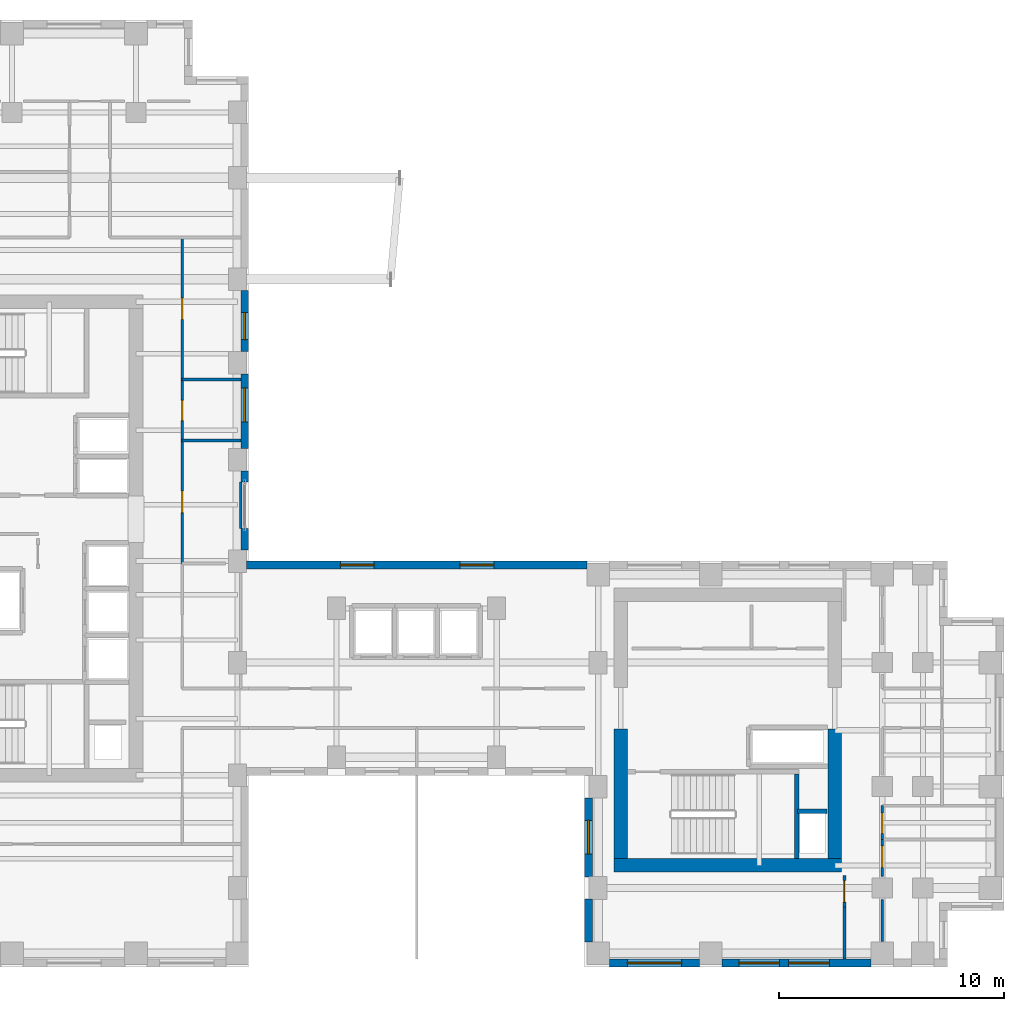
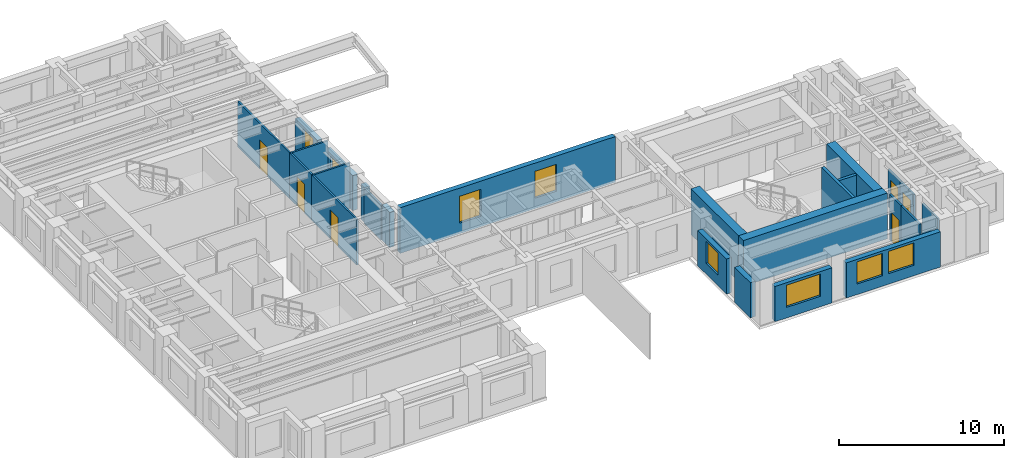
# One storey, part 8 of 13: 25 walls, 8 windows, 6 doors, 14 openings.
"""IFC4 building model written with IfcOpenShell, lengths in metres."""

import ifcopenshell
import ifcopenshell.guid

model = None  # the IFC model being written
_history = None  # IfcOwnerHistory: only IFC2X3 demands one
_inside = {}  # id of a spatial element -> (the spatial element, [elements in it])
_under = {}  # id of a project, library or spatial element -> (it, [spatial elements below it])
_declared = {}  # id of a project -> (the project, [libraries it declares])
_typed = {}  # id of a type object -> (the type object, [elements of that type])
_made_of = {}  # id of a material, layer set ... -> (it, [elements and type objects made of it])


def new_model(schema):
    """Start an empty IFC model of exactly this schema.

    Asked for "IFC4X3", IfcOpenShell would pick the latest addendum, in which some entities
    have other attributes; the version numbers below select the first issue.
    IFC2X3 requires an IfcOwnerHistory on every rooted entity: one is made here for all.
    """
    global model, _history
    if schema == "IFC4X3":
        model = ifcopenshell.file(schema_version=(4, 3, 0, 0))
    else:
        model = ifcopenshell.file(schema=schema)
    _inside.clear()
    _under.clear()
    _declared.clear()
    _typed.clear()
    _made_of.clear()
    _history = None
    if model.schema == "IFC2X3":
        org = make("IfcOrganization", Name="unknown")
        user = make(
            "IfcPersonAndOrganization",
            ThePerson=make("IfcPerson", FamilyName="unknown"),
            TheOrganization=org,
        )
        app = make(
            "IfcApplication",
            ApplicationDeveloper=org,
            Version="unknown",
            ApplicationFullName="unknown",
            ApplicationIdentifier="unknown",
        )
        _history = make(
            "IfcOwnerHistory",
            OwningUser=user,
            OwningApplication=app,
            ChangeAction="ADDED",
            CreationDate=0,
        )
    return model


def make(cls, **values):
    """One entity of the class cls with the attributes given. An attribute that is None is left unset."""
    return model.create_entity(
        cls, **{name: value for name, value in values.items() if value is not None}
    )


def rooted(cls, **values):
    """An entity with a GlobalId (a new one), such as an element, a storey or a relation."""
    return make(cls, GlobalId=ifcopenshell.guid.new(), OwnerHistory=_history, **values)


def si_unit(unit_type, name, prefix=None):
    """IfcSIUnit, for example si_unit("LENGTHUNIT", "METRE", prefix="MILLI")."""
    return make("IfcSIUnit", UnitType=unit_type, Prefix=prefix, Name=name)


def assignment(units):
    """IfcUnitAssignment: the units of a project."""
    return None if units is None else make("IfcUnitAssignment", Units=units)


def point(xyz):
    """IfcCartesianPoint."""
    return None if xyz is None else make("IfcCartesianPoint", Coordinates=xyz)


def direction(xyz):
    """IfcDirection."""
    return None if xyz is None else make("IfcDirection", DirectionRatios=xyz)


def frame(location, z_axis=None, x_axis=None):
    """IfcAxis2Placement3D, a coordinate frame: its origin and axes. An axis left out is left unset."""
    return make(
        "IfcAxis2Placement3D",
        Location=point(location),
        Axis=direction(z_axis),
        RefDirection=direction(x_axis),
    )


def frame_2d(location, x_axis=None):
    """IfcAxis2Placement2D, a coordinate frame in the plane: its origin and x axis."""
    return make(
        "IfcAxis2Placement2D", Location=point(location), RefDirection=direction(x_axis)
    )


def origin():
    """The frame at (0, 0, 0) with its axes left unset."""
    return frame((0.0, 0.0, 0.0))


def place(relative_to, where):
    """IfcLocalPlacement: puts the frame where relative to a parent placement (None: the world)."""
    return make(
        "IfcLocalPlacement", PlacementRelTo=relative_to, RelativePlacement=where
    )


def context(
    kind, dimensions, precision=None, world=None, true_north=None, identifier=None
):
    """IfcGeometricRepresentationContext, for example the 3D "Model" context."""
    return make(
        "IfcGeometricRepresentationContext",
        ContextIdentifier=identifier,
        ContextType=kind,
        CoordinateSpaceDimension=dimensions,
        Precision=precision,
        WorldCoordinateSystem=world,
        TrueNorth=true_north,
    )


def subcontext(parent, identifier, kind, view, scale=None):
    """IfcGeometricRepresentationSubContext, for example "Body" below "Model"."""
    return make(
        "IfcGeometricRepresentationSubContext",
        ContextIdentifier=identifier,
        ContextType=kind,
        ParentContext=parent,
        TargetScale=scale,
        TargetView=view,
    )


def project(units=None, contexts=None):
    """IfcProject with its units and contexts."""
    return rooted(
        "IfcProject",
        Name="project",
        RepresentationContexts=contexts,
        UnitsInContext=assignment(units),
    )


def spatial(cls, under=None, at=None, **own):
    """A site, building, storey or space (cls), placed at a placement, below another one or the project."""
    s = rooted(cls, ObjectPlacement=at, **own)
    if under is not None:
        _under.setdefault(under.id(), (under, []))[1].append(s)
    return s


def profile(cls, at=None, kind="AREA", **sizes):
    """A parametric profile (cls). Its sizes go by their IFC names, for example OverallWidth=200.0."""
    return make(cls, ProfileType=kind, Position=at, **sizes)


def rectangle(**sizes):
    """IfcRectangleProfileDef."""
    return profile("IfcRectangleProfileDef", **sizes)


def extrude(swept, where, along, depth):
    """IfcExtrudedAreaSolid: the profile swept, set in the frame where, extruded along a direction by depth."""
    return make(
        "IfcExtrudedAreaSolid",
        SweptArea=swept,
        Position=where,
        ExtrudedDirection=direction(along),
        Depth=depth,
    )


def shape(context_of_items, identifier, shape_type, items):
    """IfcShapeRepresentation: the items that make up one representation, for example the "Body"."""
    return make(
        "IfcShapeRepresentation",
        ContextOfItems=context_of_items,
        RepresentationIdentifier=identifier,
        RepresentationType=shape_type,
        Items=items,
    )


def source(mapping_origin, context_of_items, identifier, shape_type, items):
    """IfcRepresentationMap: a shape defined once, which mapped items show again and again."""
    return make(
        "IfcRepresentationMap",
        MappingOrigin=mapping_origin,
        MappedRepresentation=shape(context_of_items, identifier, shape_type, items),
    )


def transform(
    local_origin,
    x_axis=None,
    y_axis=None,
    z_axis=None,
    scale=None,
    scale2=None,
    scale3=None,
    uniform=True,
):
    """IfcCartesianTransformationOperator3D, or its non-uniform kind. x_axis, y_axis, z_axis: its Axis1, 2, 3."""
    if uniform:
        return make(
            "IfcCartesianTransformationOperator3D",
            Axis1=direction(x_axis),
            Axis2=direction(y_axis),
            LocalOrigin=point(local_origin),
            Scale=scale,
            Axis3=direction(z_axis),
        )
    return make(
        "IfcCartesianTransformationOperator3DnonUniform",
        Axis1=direction(x_axis),
        Axis2=direction(y_axis),
        LocalOrigin=point(local_origin),
        Scale=scale,
        Axis3=direction(z_axis),
        Scale2=scale2,
        Scale3=scale3,
    )


def mapped(mapping_source, mapping_target):
    """IfcMappedItem: shows the shape of a source again, moved by a transform."""
    return make(
        "IfcMappedItem", MappingSource=mapping_source, MappingTarget=mapping_target
    )


def material(Name=None, Category=None):
    """IfcMaterial."""
    return make("IfcMaterial", Name=Name, Category=Category)


def layer(
    of_material, thickness, ventilated=None, Name=None, Category=None, Priority=None
):
    """IfcMaterialLayer: one layer of a wall or slab, of a material (None: an air gap)."""
    return make(
        "IfcMaterialLayer",
        Material=of_material,
        LayerThickness=thickness,
        IsVentilated=ventilated,
        Name=Name,
        Category=Category,
        Priority=Priority,
    )


def layer_set(layers, Name=None):
    """IfcMaterialLayerSet."""
    return make("IfcMaterialLayerSet", MaterialLayers=layers, LayerSetName=Name)


def made_of(thing, what):
    """Note that an element or type object is made of a material, layer set ...; save() writes the relation."""
    if what is not None:
        _made_of.setdefault(what.id(), (what, []))[1].append(thing)
    return thing


def type_object(cls, material=None, **own):
    """A type object (cls), such as IfcWallType, which elements share."""
    return made_of(rooted(cls, **own), material)


def element(
    cls,
    number,
    at=None,
    inside=None,
    cuts=None,
    type_object=None,
    material=None,
    context=None,
    identifier="Body",
    shape_type=None,
    held_by="IfcProductDefinitionShape",
    body=None,
    shapes=None,
    **own,
):
    """One element of the class cls, such as IfcWall. Its Tag is "e" and its number.

    at: its placement. inside: the storey or other place that contains it. cuts: it is an
    opening in that element (IfcRelVoidsElement). A single representation is given by context,
    identifier, shape_type and body (its items); several are given by shapes. held_by: the class
    of the entity that holds the representations. save() writes the other relations.
    """
    e = rooted(cls, Tag="e%d" % number, ObjectPlacement=at, **own)
    if body is not None:
        shapes = [shape(context, identifier, shape_type, body)]
    if shapes is not None:
        e.Representation = make(held_by, Representations=shapes)
    if inside is not None:
        _inside.setdefault(inside.id(), (inside, []))[1].append(e)
    if cuts is not None:
        rooted(
            "IfcRelVoidsElement", RelatingBuildingElement=cuts, RelatedOpeningElement=e
        )
    if type_object is not None:
        _typed.setdefault(type_object.id(), (type_object, []))[1].append(e)
    return made_of(e, material)


def fill(opening, filler):
    """IfcRelFillsElement: the door or window that sits in an opening."""
    return rooted(
        "IfcRelFillsElement",
        RelatingOpeningElement=opening,
        RelatedBuildingElement=filler,
    )


def aggregate(whole, parts):
    """IfcRelAggregates: a whole, such as a stair, and the parts it consists of."""
    return rooted("IfcRelAggregates", RelatingObject=whole, RelatedObjects=parts)


def save(model, path):
    """Write the relations noted so far, then the file.

    IfcRelAggregates (storeys below a building ...), IfcRelContainedInSpatialStructure (elements
    in a storey), IfcRelDefinesByType, IfcRelAssociatesMaterial and IfcRelDeclares: one each for
    every whole, place, type object, material and project.
    """
    for whole, parts in _under.values():
        aggregate(whole, parts)
    for where, things in _inside.values():
        rooted(
            "IfcRelContainedInSpatialStructure",
            RelatedElements=things,
            RelatingStructure=where,
        )
    for kind, things in _typed.values():
        rooted("IfcRelDefinesByType", RelatedObjects=things, RelatingType=kind)
    for what, things in _made_of.values():
        rooted("IfcRelAssociatesMaterial", RelatedObjects=things, RelatingMaterial=what)
    for by, libraries in _declared.values():
        rooted("IfcRelDeclares", RelatingContext=by, RelatedDefinitions=libraries)
    model.write(path)


model = new_model("IFC4")

# Units and contexts
model_context = context("Model", 3, precision=1e-05, world=origin(), true_north=direction((0.0, 1.0)))
body_context = subcontext(model_context, "Body", "Model", "MODEL_VIEW")
ifc_project = project(units=[si_unit("LENGTHUNIT", "METRE"), si_unit("AREAUNIT", "SQUARE_METRE"), si_unit("VOLUMEUNIT", "CUBIC_METRE"), si_unit("PLANEANGLEUNIT", "RADIAN"), si_unit("MASSUNIT", "GRAM", prefix="KILO")], contexts=[model_context])

# Site, building, storey
site_placement = place(None, origin())
site = spatial("IfcSite", under=ifc_project, at=site_placement, CompositionType="ELEMENT")
building_placement = place(site_placement, origin())
building = spatial("IfcBuilding", under=site, at=building_placement, Name="Kharzan Plaza Tower", CompositionType="ELEMENT")
storey_placement = place(building_placement, frame((0.0, 0.0, 197.10009765625)))
storey = spatial("IfcBuildingStorey", under=building, at=storey_placement, Name="L53", CompositionType="ELEMENT", Elevation=197.10009765625)

# Wall, opening, window
ifc_material_1 = material(Name="Concrete C40/50", Category="concrete")
ifc_layer_1 = layer(ifc_material_1, 0.35009765625)
ifc_layer_set_1 = layer_set([ifc_layer_1], Name="Concrete C40/50")
wall_type_1 = type_object("IfcWallType", Name="WL-EXT-MAS-Z3", PredefinedType="SOLIDWALL", material=ifc_layer_set_1)
wall_1_placement = place(storey_placement, frame((34.574951171875, 7.501953125, 0.0), z_axis=(0.0, 0.0, 1.0), x_axis=(0.0, -1.0, 0.0)))
wall_1 = element("IfcWall", 1, at=wall_1_placement, inside=storey, type_object=wall_type_1, Name="L53 Masonry-Frame Exterior Wall 29", PredefinedType="SOLIDWALL", context=body_context, shape_type="SweptSolid", body=[
    extrude(rectangle(XDim=3.50390625, YDim=0.35009765625, at=frame_2d((1.751953125, 0.0))), origin(), (0.0, 0.0, 1.0), 2.61181640625),
])
opening_1_placement = place(wall_1_placement, frame((1.001953125, 0.0, 0.780029296875)))
opening_1 = element("IfcOpeningElement", 2, at=opening_1_placement, cuts=wall_1, Name="Opening W5", PredefinedType="OPENING", context=body_context, shape_type="SweptSolid", body=[
    extrude(rectangle(XDim=1.5, YDim=1.652099609375, at=frame_2d((0.75, 0.826171875))), frame((0.0, 0.18505859375, 0.0), z_axis=(0.0, -1.0, 0.0), x_axis=(1.0, 0.0, 0.0)), (0.0, 0.0, 1.0), 0.3701171875),
])
ifc_material_2 = material(Name="Low-E Double Glazing", Category="glass")
window_type_1 = type_object("IfcWindowType", Name="WN-SLT-1500x2000", PartitioningType="SINGLE_PANEL", PredefinedType="WINDOW", material=ifc_material_2)
shared_shape_1 = source(origin(), body_context, "Body", "SweptSolid", [
    extrude(rectangle(XDim=1.5, YDim=1.652099609375, at=frame_2d((0.75, 0.826171875))), frame((0.0, 0.030029296875, 0.0), z_axis=(0.0, -1.0, 0.0), x_axis=(1.0, 0.0, 0.0)), (0.0, 0.0, 1.0), 0.06005859375),
])
window_1_placement = place(opening_1_placement, origin())
window_1 = element("IfcWindow", 3, at=window_1_placement, inside=storey, type_object=window_type_1, Name="L53 Recessed Solar-Control Window 29-1", OverallHeight=1.652099609375, OverallWidth=1.5, PartitioningType="SINGLE_PANEL", PredefinedType="WINDOW", context=body_context, shape_type="MappedRepresentation", body=[
    mapped(shared_shape_1, transform((0.0, 0.0, 0.0), x_axis=(1.0, 0.0, 0.0), y_axis=(0.0, 1.0, 0.0), z_axis=(0.0, 0.0, 1.0))),
])
fill(opening_1, window_1)

wall_2_placement = place(storey_placement, frame((35.498046875, 0.175048828125, 0.0), z_axis=(0.0, 0.0, 1.0), x_axis=(1.0, 0.0, 0.0)))
wall_2 = element("IfcWall", 4, at=wall_2_placement, inside=storey, type_object=wall_type_1, Name="L53 Masonry-Frame Exterior Wall 31", PredefinedType="SOLIDWALL", context=body_context, shape_type="SweptSolid", body=[
    extrude(rectangle(XDim=4.00390625, YDim=0.35009765625, at=frame_2d((2.001953125, 0.0))), origin(), (0.0, 0.0, 1.0), 2.61181640625),
])
opening_2_placement = place(wall_2_placement, frame((0.802001953125, 0.0, 0.780029296875)))
opening_2 = element("IfcOpeningElement", 5, at=opening_2_placement, cuts=wall_2, Name="Opening W2", PredefinedType="OPENING", context=body_context, shape_type="SweptSolid", body=[
    extrude(rectangle(XDim=2.39990234375, YDim=1.652099609375, at=frame_2d((1.199951171875, 0.826171875))), frame((0.0, 0.18505859375, 0.0), z_axis=(0.0, -1.0, 0.0), x_axis=(1.0, 0.0, 0.0)), (0.0, 0.0, 1.0), 0.3701171875),
])
window_type_2 = type_object("IfcWindowType", Name="WN-REC-2400x2100", PartitioningType="SINGLE_PANEL", PredefinedType="WINDOW", material=ifc_material_2)
shared_shape_2 = source(origin(), body_context, "Body", "SweptSolid", [
    extrude(rectangle(XDim=2.39990234375, YDim=1.652099609375, at=frame_2d((1.199951171875, 0.826171875))), frame((0.0, 0.030029296875, 0.0), z_axis=(0.0, -1.0, 0.0), x_axis=(1.0, 0.0, 0.0)), (0.0, 0.0, 1.0), 0.06005859375),
])
window_2_placement = place(opening_2_placement, origin())
window_2 = element("IfcWindow", 6, at=window_2_placement, inside=storey, type_object=window_type_2, Name="L53 Wide Recessed Solar-Control Window 31-1", OverallHeight=1.652099609375, OverallWidth=2.39990234375, PartitioningType="SINGLE_PANEL", PredefinedType="WINDOW", context=body_context, shape_type="MappedRepresentation", body=[
    mapped(shared_shape_2, transform((0.0, 0.0, 0.0), x_axis=(1.0, 0.0, 0.0), y_axis=(0.0, 1.0, 0.0), z_axis=(0.0, 0.0, 1.0))),
])
fill(opening_2, window_2)

# Wall, openings, windows
wall_3_placement = place(storey_placement, frame((40.498046875, 0.175048828125, 0.0), z_axis=(0.0, 0.0, 1.0), x_axis=(1.0, 0.0, 0.0)))
wall_3 = element("IfcWall", 7, at=wall_3_placement, inside=storey, type_object=wall_type_1, Name="L53 Masonry-Frame Exterior Wall 32", PredefinedType="SOLIDWALL", context=body_context, shape_type="SweptSolid", body=[
    extrude(rectangle(XDim=6.60400390625, YDim=0.35009765625, at=frame_2d((3.302001953125, 0.0))), origin(), (0.0, 0.0, 1.0), 2.61181640625),
])
opening_3_placement = place(wall_3_placement, frame((0.7373046875, 0.0, 0.780029296875)))
opening_3 = element("IfcOpeningElement", 8, at=opening_3_placement, cuts=wall_3, Name="Opening W1", PredefinedType="OPENING", context=body_context, shape_type="SweptSolid", body=[
    extrude(rectangle(XDim=1.800048828125, YDim=1.652099609375, at=frame_2d((0.89990234375, 0.826171875))), frame((0.0, 0.18505859375, 0.0), z_axis=(0.0, -1.0, 0.0), x_axis=(1.0, 0.0, 0.0)), (0.0, 0.0, 1.0), 0.3701171875),
])
opening_4_placement = place(wall_3_placement, frame((2.95458984375, 0.0, 0.780029296875)))
opening_4 = element("IfcOpeningElement", 9, at=opening_4_placement, cuts=wall_3, Name="Opening W1", PredefinedType="OPENING", context=body_context, shape_type="SweptSolid", body=[
    extrude(rectangle(XDim=1.800048828125, YDim=1.652099609375, at=frame_2d((0.89990234375, 0.826171875))), frame((0.0, 0.18505859375, 0.0), z_axis=(0.0, -1.0, 0.0), x_axis=(1.0, 0.0, 0.0)), (0.0, 0.0, 1.0), 0.3701171875),
])
window_type_3 = type_object("IfcWindowType", Name="WN-REC-1800x2100", PartitioningType="SINGLE_PANEL", PredefinedType="WINDOW", material=ifc_material_2)
shared_shape_3 = source(origin(), body_context, "Body", "SweptSolid", [
    extrude(rectangle(XDim=1.800048828125, YDim=1.652099609375, at=frame_2d((0.89990234375, 0.826171875))), frame((0.0, 0.030029296875, 0.0), z_axis=(0.0, -1.0, 0.0), x_axis=(1.0, 0.0, 0.0)), (0.0, 0.0, 1.0), 0.06005859375),
])
window_3_placement = place(opening_3_placement, origin())
window_3 = element("IfcWindow", 10, at=window_3_placement, inside=storey, type_object=window_type_3, Name="L53 Recessed Solar-Control Window 32-1", OverallHeight=1.652099609375, OverallWidth=1.800048828125, PartitioningType="SINGLE_PANEL", PredefinedType="WINDOW", context=body_context, shape_type="MappedRepresentation", body=[
    mapped(shared_shape_3, transform((0.0, 0.0, 0.0), x_axis=(1.0, 0.0, 0.0), y_axis=(0.0, 1.0, 0.0), z_axis=(0.0, 0.0, 1.0))),
])
fill(opening_3, window_3)
window_4_placement = place(opening_4_placement, origin())
window_4 = element("IfcWindow", 11, at=window_4_placement, inside=storey, type_object=window_type_3, Name="L53 Recessed Solar-Control Window 32-2", OverallHeight=1.652099609375, OverallWidth=1.800048828125, PartitioningType="SINGLE_PANEL", PredefinedType="WINDOW", context=body_context, shape_type="MappedRepresentation", body=[
    mapped(shared_shape_3, transform((0.0, 0.0, 0.0), x_axis=(1.0, 0.0, 0.0), y_axis=(0.0, 1.0, 0.0), z_axis=(0.0, 0.0, 1.0))),
])
fill(opening_4, window_4)

wall_4_placement = place(storey_placement, frame((34.501953125, 17.824951171875, 0.0), z_axis=(0.0, 0.0, 1.0), x_axis=(-1.0, 0.0, 0.0)))
wall_4 = element("IfcWall", 12, at=wall_4_placement, inside=storey, type_object=wall_type_1, Name="L53 Masonry-Frame Exterior Wall 46", PredefinedType="SOLIDWALL", context=body_context, shape_type="SweptSolid", body=[
    extrude(rectangle(XDim=15.10400390625, YDim=0.35009765625, at=frame_2d((7.552001953125, 0.0))), origin(), (0.0, 0.0, 1.0), 3.385009765625),
])
opening_5_placement = place(wall_4_placement, frame((4.131103515625, 0.0, 0.780029296875)))
opening_5 = element("IfcOpeningElement", 13, at=opening_5_placement, cuts=wall_4, Name="Opening W5", PredefinedType="OPENING", context=body_context, shape_type="SweptSolid", body=[
    extrude(rectangle(XDim=1.5, YDim=2.0, at=frame_2d((0.75, 1.0))), frame((0.0, 0.18505859375, 0.0), z_axis=(0.0, -1.0, 0.0), x_axis=(1.0, 0.0, 0.0)), (0.0, 0.0, 1.0), 0.3701171875),
])
opening_6_placement = place(wall_4_placement, frame((9.4423828125, 0.0, 0.780029296875)))
opening_6 = element("IfcOpeningElement", 14, at=opening_6_placement, cuts=wall_4, Name="Opening W5", PredefinedType="OPENING", context=body_context, shape_type="SweptSolid", body=[
    extrude(rectangle(XDim=1.5, YDim=2.0, at=frame_2d((0.75, 1.0))), frame((0.0, 0.18505859375, 0.0), z_axis=(0.0, -1.0, 0.0), x_axis=(1.0, 0.0, 0.0)), (0.0, 0.0, 1.0), 0.3701171875),
])
shared_shape_4 = source(origin(), body_context, "Body", "SweptSolid", [
    extrude(rectangle(XDim=1.5, YDim=2.0, at=frame_2d((0.75, 1.0))), frame((0.0, 0.030029296875, 0.0), z_axis=(0.0, -1.0, 0.0), x_axis=(1.0, 0.0, 0.0)), (0.0, 0.0, 1.0), 0.06005859375),
])
window_5_placement = place(opening_5_placement, origin())
window_5 = element("IfcWindow", 15, at=window_5_placement, inside=storey, type_object=window_type_1, Name="L53 Recessed Solar-Control Window 46-1", OverallHeight=2.0, OverallWidth=1.5, PartitioningType="SINGLE_PANEL", PredefinedType="WINDOW", context=body_context, shape_type="MappedRepresentation", body=[
    mapped(shared_shape_4, transform((0.0, 0.0, 0.0), x_axis=(1.0, 0.0, 0.0), y_axis=(0.0, 1.0, 0.0), z_axis=(0.0, 0.0, 1.0))),
])
fill(opening_5, window_5)
window_6_placement = place(opening_6_placement, origin())
window_6 = element("IfcWindow", 16, at=window_6_placement, inside=storey, type_object=window_type_1, Name="L53 Recessed Solar-Control Window 46-2", OverallHeight=2.0, OverallWidth=1.5, PartitioningType="SINGLE_PANEL", PredefinedType="WINDOW", context=body_context, shape_type="MappedRepresentation", body=[
    mapped(shared_shape_4, transform((0.0, 0.0, 0.0), x_axis=(1.0, 0.0, 0.0), y_axis=(0.0, 1.0, 0.0), z_axis=(0.0, 0.0, 1.0))),
])
fill(opening_6, window_6)

# Wall, opening, window
wall_5_placement = place(storey_placement, frame((19.324951171875, 22.998046875, 0.0), z_axis=(0.0, 0.0, 1.0), x_axis=(0.0, 1.0, 0.0)))
wall_5 = element("IfcWall", 17, at=wall_5_placement, inside=storey, type_object=wall_type_1, Name="L53 Masonry-Frame Exterior Wall 49", PredefinedType="SOLIDWALL", context=body_context, shape_type="SweptSolid", body=[
    extrude(rectangle(XDim=3.303955078125, YDim=0.35009765625, at=frame_2d((1.65185546875, 0.0))), origin(), (0.0, 0.0, 1.0), 2.61181640625),
])
opening_7_placement = place(wall_5_placement, frame((1.180419921875, 0.0, 0.780029296875)))
opening_7 = element("IfcOpeningElement", 18, at=opening_7_placement, cuts=wall_5, Name="Opening W5", PredefinedType="OPENING", context=body_context, shape_type="SweptSolid", body=[
    extrude(rectangle(XDim=1.5, YDim=1.652099609375, at=frame_2d((0.75, 0.826171875))), frame((0.0, 0.18505859375, 0.0), z_axis=(0.0, -1.0, 0.0), x_axis=(1.0, 0.0, 0.0)), (0.0, 0.0, 1.0), 0.3701171875),
])
window_7_placement = place(opening_7_placement, origin())
window_7 = element("IfcWindow", 19, at=window_7_placement, inside=storey, type_object=window_type_1, Name="L53 Recessed Solar-Control Window 49-1", OverallHeight=1.652099609375, OverallWidth=1.5, PartitioningType="SINGLE_PANEL", PredefinedType="WINDOW", context=body_context, shape_type="MappedRepresentation", body=[
    mapped(shared_shape_1, transform((0.0, 0.0, 0.0), x_axis=(1.0, 0.0, 0.0), y_axis=(0.0, 1.0, 0.0), z_axis=(0.0, 0.0, 1.0))),
])
fill(opening_7, window_7)

wall_6_placement = place(storey_placement, frame((19.324951171875, 27.298095703125, 0.0), z_axis=(0.0, 0.0, 1.0), x_axis=(0.0, 1.0, 0.0)))
wall_6 = element("IfcWall", 20, at=wall_6_placement, inside=storey, type_object=wall_type_1, Name="L53 Masonry-Frame Exterior Wall 50", PredefinedType="SOLIDWALL", context=body_context, shape_type="SweptSolid", body=[
    extrude(rectangle(XDim=2.703857421875, YDim=0.35009765625, at=frame_2d((1.35205078125, 0.0))), origin(), (0.0, 0.0, 1.0), 2.61181640625),
])
opening_8_placement = place(wall_6_placement, frame((0.523681640625, 0.0, 0.780029296875)))
opening_8 = element("IfcOpeningElement", 21, at=opening_8_placement, cuts=wall_6, Name="Opening W3", PredefinedType="OPENING", context=body_context, shape_type="SweptSolid", body=[
    extrude(rectangle(XDim=1.199951171875, YDim=1.652099609375, at=frame_2d((0.60009765625, 0.826171875))), frame((0.0, 0.18505859375, 0.0), z_axis=(0.0, -1.0, 0.0), x_axis=(1.0, 0.0, 0.0)), (0.0, 0.0, 1.0), 0.3701171875),
])
window_type_4 = type_object("IfcWindowType", Name="WN-REC-1200x2100", PartitioningType="SINGLE_PANEL", PredefinedType="WINDOW", material=ifc_material_2)
shared_shape_5 = source(origin(), body_context, "Body", "SweptSolid", [
    extrude(rectangle(XDim=1.199951171875, YDim=1.652099609375, at=frame_2d((0.60009765625, 0.826171875))), frame((0.0, 0.030029296875, 0.0), z_axis=(0.0, -1.0, 0.0), x_axis=(1.0, 0.0, 0.0)), (0.0, 0.0, 1.0), 0.06005859375),
])
window_8_placement = place(opening_8_placement, origin())
window_8 = element("IfcWindow", 22, at=window_8_placement, inside=storey, type_object=window_type_4, Name="L53 Recessed Solar-Control Window 50-1", OverallHeight=1.652099609375, OverallWidth=1.199951171875, PartitioningType="SINGLE_PANEL", PredefinedType="WINDOW", context=body_context, shape_type="MappedRepresentation", body=[
    mapped(shared_shape_5, transform((0.0, 0.0, 0.0), x_axis=(1.0, 0.0, 0.0), y_axis=(0.0, 1.0, 0.0), z_axis=(0.0, 0.0, 1.0))),
])
fill(opening_8, window_8)

# Wall, opening, door
ifc_material_3 = material(Name="Fire-Rated Gypsum Board Partition", Category="gypsum")
ifc_layer_2 = layer(ifc_material_3, 0.125)
ifc_layer_set_2 = layer_set([ifc_layer_2], Name="Fire-Rated Gypsum Board Partition")
wall_type_2 = type_object("IfcWallType", Name="WL-INT-PART-125", PredefinedType="PARTITIONING", material=ifc_layer_set_2)
wall_7_placement = place(storey_placement, frame((16.550048828125, 17.89990234375, 0.0), z_axis=(0.0, 0.0, 1.0), x_axis=(0.0, 1.0, 0.0)))
wall_7 = element("IfcWall", 23, at=wall_7_placement, inside=storey, type_object=wall_type_2, Name="L53 Interior Partition SH-AEWN2", PredefinedType="PARTITIONING", context=body_context, shape_type="SweptSolid", body=[
    extrude(rectangle(XDim=5.4501953125, YDim=0.125, at=frame_2d((2.72509765625, 0.0))), origin(), (0.0, 0.0, 1.0), 3.385009765625),
])
opening_9_placement = place(wall_7_placement, frame((2.25, 0.0, 0.0)))
opening_9 = element("IfcOpeningElement", 24, at=opening_9_placement, cuts=wall_7, Name="Opening OD1", PredefinedType="OPENING", context=body_context, shape_type="SweptSolid", body=[
    extrude(rectangle(XDim=0.949951171875, YDim=2.14990234375, at=frame_2d((0.47509765625, 1.074951171875))), frame((0.0, 0.072509765625, 0.0), z_axis=(0.0, -1.0, 0.0), x_axis=(1.0, 0.0, 0.0)), (0.0, 0.0, 1.0), 0.14501953125),
])
ifc_material_4 = material(Name="Acoustic Solid-Core Stained Oak", Category="timber")
door_type_1 = type_object("IfcDoorType", Name="DR-OFF-SINGLE", OperationType="NOTDEFINED", PredefinedType="DOOR", material=ifc_material_4)
shared_shape_6 = source(origin(), body_context, "Body", "SweptSolid", [
    extrude(rectangle(XDim=0.949951171875, YDim=2.14990234375, at=frame_2d((0.47509765625, 1.074951171875))), frame((0.0, 0.02490234375, 0.0), z_axis=(0.0, -1.0, 0.0), x_axis=(1.0, 0.0, 0.0)), (0.0, 0.0, 1.0), 0.050048828125),
])
door_1_placement = place(opening_9_placement, origin())
door_1 = element("IfcDoor", 25, at=door_1_placement, inside=storey, type_object=door_type_1, Name="L53 Slot Studio Door", OperationType="SINGLE_SWING_RIGHT", OverallHeight=2.14990234375, OverallWidth=0.949951171875, PredefinedType="DOOR", context=body_context, shape_type="MappedRepresentation", body=[
    mapped(shared_shape_6, transform((0.0, 0.0, 0.0), x_axis=(1.0, 0.0, 0.0), y_axis=(0.0, 1.0, 0.0), z_axis=(0.0, 0.0, 1.0))),
])
fill(opening_9, door_1)

wall_8_placement = place(storey_placement, frame((16.550048828125, 26.050048828125, 0.0), z_axis=(0.0, 0.0, 1.0), x_axis=(0.0, 1.0, 0.0)))
wall_8 = element("IfcWall", 26, at=wall_8_placement, inside=storey, type_object=wall_type_2, Name="L53 Interior Partition SH-AEWN3", PredefinedType="PARTITIONING", context=body_context, shape_type="SweptSolid", body=[
    extrude(rectangle(XDim=6.300048828125, YDim=0.125, at=frame_2d((3.14990234375, 0.0))), origin(), (0.0, 0.0, 1.0), 3.385009765625),
])
opening_10_placement = place(wall_8_placement, frame((2.675048828125, 0.0, 0.0)))
opening_10 = element("IfcOpeningElement", 27, at=opening_10_placement, cuts=wall_8, Name="Opening OD1", PredefinedType="OPENING", context=body_context, shape_type="SweptSolid", body=[
    extrude(rectangle(XDim=0.949951171875, YDim=2.14990234375, at=frame_2d((0.47509765625, 1.074951171875))), frame((0.0, 0.072509765625, 0.0), z_axis=(0.0, -1.0, 0.0), x_axis=(1.0, 0.0, 0.0)), (0.0, 0.0, 1.0), 0.14501953125),
])
door_2_placement = place(opening_10_placement, origin())
door_2 = element("IfcDoor", 28, at=door_2_placement, inside=storey, type_object=door_type_1, Name="L53 Staff Tea Point Door", OperationType="SINGLE_SWING_RIGHT", OverallHeight=2.14990234375, OverallWidth=0.949951171875, PredefinedType="DOOR", context=body_context, shape_type="MappedRepresentation", body=[
    mapped(shared_shape_6, transform((0.0, 0.0, 0.0), x_axis=(1.0, 0.0, 0.0), y_axis=(0.0, 1.0, 0.0), z_axis=(0.0, 0.0, 1.0))),
])
fill(opening_10, door_2)

wall_9_placement = place(storey_placement, frame((16.550048828125, 23.35009765625, 0.0), z_axis=(0.0, 0.0, 1.0), x_axis=(0.0, 1.0, 0.0)))
wall_9 = element("IfcWall", 29, at=wall_9_placement, inside=storey, type_object=wall_type_2, Name="L53 Interior Partition SH-AEWW", PredefinedType="PARTITIONING", context=body_context, shape_type="SweptSolid", body=[
    extrude(rectangle(XDim=2.699951171875, YDim=0.125, at=frame_2d((1.35009765625, 0.0))), origin(), (0.0, 0.0, 1.0), 3.385009765625),
])
opening_11_placement = place(wall_9_placement, frame((0.875, 0.0, 0.0)))
opening_11 = element("IfcOpeningElement", 30, at=opening_11_placement, cuts=wall_9, Name="Opening WD1", PredefinedType="OPENING", context=body_context, shape_type="SweptSolid", body=[
    extrude(rectangle(XDim=0.89990234375, YDim=2.14990234375, at=frame_2d((0.449951171875, 1.074951171875))), frame((0.0, 0.072509765625, 0.0), z_axis=(0.0, -1.0, 0.0), x_axis=(1.0, 0.0, 0.0)), (0.0, 0.0, 1.0), 0.14501953125),
])
ifc_material_5 = material(Name="Moisture-Resistant Fire-Rated Laminate", Category="timber")
door_type_2 = type_object("IfcDoorType", Name="DR-WC-900", OperationType="NOTDEFINED", PredefinedType="DOOR", material=ifc_material_5)
shared_shape_7 = source(origin(), body_context, "Body", "SweptSolid", [
    extrude(rectangle(XDim=0.89990234375, YDim=2.14990234375, at=frame_2d((0.449951171875, 1.074951171875))), frame((0.0, 0.02490234375, 0.0), z_axis=(0.0, -1.0, 0.0), x_axis=(1.0, 0.0, 0.0)), (0.0, 0.0, 1.0), 0.050048828125),
])
door_3_placement = place(opening_11_placement, origin())
door_3 = element("IfcDoor", 31, at=door_3_placement, inside=storey, type_object=door_type_2, Name="L53 Wing A Washroom Door", OperationType="SINGLE_SWING_LEFT", OverallHeight=2.14990234375, OverallWidth=0.89990234375, PredefinedType="DOOR", context=body_context, shape_type="MappedRepresentation", body=[
    mapped(shared_shape_7, transform((0.0, 0.0, 0.0), x_axis=(1.0, 0.0, 0.0), y_axis=(0.0, 1.0, 0.0), z_axis=(0.0, 0.0, 1.0))),
])
fill(opening_11, door_3)

wall_10_placement = place(storey_placement, frame((47.60009765625, 4.02001953125, 0.0), z_axis=(0.0, 0.0, 1.0), x_axis=(0.0, 1.0, 0.0)))
wall_10 = element("IfcWall", 32, at=wall_10_placement, inside=storey, type_object=wall_type_2, Name="L53 Interior Partition SH-B2W0", PredefinedType="PARTITIONING", context=body_context, shape_type="SweptSolid", body=[
    extrude(rectangle(XDim=1.6298828125, YDim=0.125, at=frame_2d((0.81494140625, 0.0))), origin(), (0.0, 0.0, 1.0), 2.77294921875),
])
opening_12_placement = place(wall_10_placement, frame((0.393310546875, 0.0, 0.0)))
opening_12 = element("IfcOpeningElement", 33, at=opening_12_placement, cuts=wall_10, Name="Opening OD1", PredefinedType="OPENING", context=body_context, shape_type="SweptSolid", body=[
    extrude(rectangle(XDim=0.949951171875, YDim=2.14990234375, at=frame_2d((0.47509765625, 1.074951171875))), frame((0.0, 0.072509765625, 0.0), z_axis=(0.0, -1.0, 0.0), x_axis=(1.0, 0.0, 0.0)), (0.0, 0.0, 1.0), 0.14501953125),
])
door_4_placement = place(opening_12_placement, origin())
door_4 = element("IfcDoor", 34, at=door_4_placement, inside=storey, type_object=door_type_1, Name="L53 Wing B South Office Door", OperationType="SINGLE_SWING_RIGHT", OverallHeight=2.14990234375, OverallWidth=0.949951171875, PredefinedType="DOOR", context=body_context, shape_type="MappedRepresentation", body=[
    mapped(shared_shape_6, transform((0.0, 0.0, 0.0), x_axis=(1.0, 0.0, 0.0), y_axis=(0.0, 1.0, 0.0), z_axis=(0.0, 0.0, 1.0))),
])
fill(opening_12, door_4)

wall_11_placement = place(storey_placement, frame((47.60009765625, 5.64990234375, 0.0), z_axis=(0.0, 0.0, 1.0), x_axis=(0.0, 1.0, 0.0)))
wall_11 = element("IfcWall", 35, at=wall_11_placement, inside=storey, type_object=wall_type_2, Name="L53 Interior Partition SH-B2WC", PredefinedType="PARTITIONING", context=body_context, shape_type="SweptSolid", body=[
    extrude(rectangle(XDim=1.5, YDim=0.125, at=frame_2d((0.75, 0.0))), origin(), (0.0, 0.0, 1.0), 2.77294921875),
])
opening_13_placement = place(wall_11_placement, frame((0.27490234375, 0.0, 0.0)))
opening_13 = element("IfcOpeningElement", 36, at=opening_13_placement, cuts=wall_11, Name="Opening WD1", PredefinedType="OPENING", context=body_context, shape_type="SweptSolid", body=[
    extrude(rectangle(XDim=0.89990234375, YDim=2.14990234375, at=frame_2d((0.449951171875, 1.074951171875))), frame((0.0, 0.072509765625, 0.0), z_axis=(0.0, -1.0, 0.0), x_axis=(1.0, 0.0, 0.0)), (0.0, 0.0, 1.0), 0.14501953125),
])
door_5_placement = place(opening_13_placement, origin())
door_5 = element("IfcDoor", 37, at=door_5_placement, inside=storey, type_object=door_type_2, Name="L53 Wing B Washroom Door", OperationType="SINGLE_SWING_LEFT", OverallHeight=2.14990234375, OverallWidth=0.89990234375, PredefinedType="DOOR", context=body_context, shape_type="MappedRepresentation", body=[
    mapped(shared_shape_7, transform((0.0, 0.0, 0.0), x_axis=(1.0, 0.0, 0.0), y_axis=(0.0, 1.0, 0.0), z_axis=(0.0, 0.0, 1.0))),
])
fill(opening_13, door_5)

wall_12_placement = place(storey_placement, frame((45.919921875, 2.64990234375, 0.0), z_axis=(0.0, 0.0, 1.0), x_axis=(0.0, 1.0, 0.0)))
wall_12 = element("IfcWall", 38, at=wall_12_placement, inside=storey, type_object=wall_type_2, Name="L53 Interior Partition SH-RBSE", PredefinedType="PARTITIONING", context=body_context, shape_type="SweptSolid", body=[
    extrude(rectangle(XDim=1.400146484375, YDim=0.125, at=frame_2d((0.7001953125, 0.0))), origin(), (0.0, 0.0, 1.0), 3.385009765625),
])
opening_14_placement = place(wall_12_placement, frame((0.22509765625, 0.0, 0.0)))
opening_14 = element("IfcOpeningElement", 39, at=opening_14_placement, cuts=wall_12, Name="Opening OD1", PredefinedType="OPENING", context=body_context, shape_type="SweptSolid", body=[
    extrude(rectangle(XDim=0.949951171875, YDim=2.14990234375, at=frame_2d((0.47509765625, 1.074951171875))), frame((0.0, 0.072509765625, 0.0), z_axis=(0.0, -1.0, 0.0), x_axis=(1.0, 0.0, 0.0)), (0.0, 0.0, 1.0), 0.14501953125),
])
door_6_placement = place(opening_14_placement, origin())
door_6 = element("IfcDoor", 40, at=door_6_placement, inside=storey, type_object=door_type_1, Name="L53 South-East Corner Office Door", OperationType="SINGLE_SWING_LEFT", OverallHeight=2.14990234375, OverallWidth=0.949951171875, PredefinedType="DOOR", context=body_context, shape_type="MappedRepresentation", body=[
    mapped(shared_shape_6, transform((0.0, 0.0, 0.0), x_axis=(1.0, 0.0, 0.0), y_axis=(0.0, 1.0, 0.0), z_axis=(0.0, 0.0, 1.0))),
])
fill(opening_14, door_6)

# Walls
ifc_material_6 = material(Name="Concrete C50/60", Category="concrete")
ifc_layer_3 = layer(ifc_material_6, 0.60009765625)
ifc_layer_set_3 = layer_set([ifc_layer_3], Name="Concrete C50/60")
wall_type_3 = type_object("IfcWallType", Name="WL-CORE-600", PredefinedType="SHEAR", material=ifc_layer_set_3)
shared_shape_8 = source(origin(), body_context, "Body", "SweptSolid", [
    extrude(rectangle(XDim=5.75, YDim=0.60009765625, at=frame_2d((2.875, 0.0))), origin(), (0.0, 0.0, 1.0), 3.39990234375),
])
for number, where, z_axis, x_axis, name in (
    (41, (45.5, 4.800048828125, 0.0), (0.0, 0.0, 1.0), (0.0, 1.0, 0.0), "L53 CORE-B east shear pier 1"),
    (42, (36.0, 4.800048828125, 0.0), (0.0, 0.0, 1.0), (0.0, 1.0, 0.0), "L53 CORE-B west shear pier 1"),
):
    element("IfcWall", number, at=place(storey_placement, frame(where, z_axis=z_axis, x_axis=x_axis)), inside=storey, type_object=wall_type_3, Name=name, PredefinedType="SHEAR", context=body_context, shape_type="MappedRepresentation", body=[
        mapped(shared_shape_8, transform((0.0, 0.0, 0.0), x_axis=(1.0, 0.0, 0.0), y_axis=(0.0, 1.0, 0.0), z_axis=(0.0, 0.0, 1.0))),
    ])
shared_shape_9 = source(origin(), body_context, "Body", "SweptSolid", [
    extrude(rectangle(XDim=10.10009765625, YDim=0.60009765625, at=frame_2d((5.050048828125, 0.0))), origin(), (0.0, 0.0, 1.0), 3.39990234375),
])
wall_13_placement = place(storey_placement, frame((35.699951171875, 4.5, 0.0), z_axis=(0.0, 0.0, 1.0), x_axis=(1.0, 0.0, 0.0)))
element("IfcWall", 43, at=wall_13_placement, inside=storey, type_object=wall_type_3, Name="L53 CORE-B south RC shear wall", PredefinedType="SHEAR", context=body_context, shape_type="MappedRepresentation", body=[
    mapped(shared_shape_9, transform((0.0, 0.0, 0.0), x_axis=(1.0, 0.0, 0.0), y_axis=(0.0, 1.0, 0.0), z_axis=(0.0, 0.0, 1.0))),
])
shared_shape_10 = source(origin(), body_context, "Body", "SweptSolid", [
    extrude(rectangle(XDim=1.904052734375, YDim=0.35009765625, at=frame_2d((0.9521484375, 0.0))), origin(), (0.0, 0.0, 1.0), 2.61181640625),
])
wall_14_placement = place(storey_placement, frame((34.574951171875, 3.001953125, 0.0), z_axis=(0.0, 0.0, 1.0), x_axis=(0.0, -1.0, 0.0)))
element("IfcWall", 44, at=wall_14_placement, inside=storey, type_object=wall_type_1, Name="L53 Masonry-Frame Exterior Wall 30", PredefinedType="SOLIDWALL", context=body_context, shape_type="MappedRepresentation", body=[
    mapped(shared_shape_10, transform((0.0, 0.0, 0.0), x_axis=(1.0, 0.0, 0.0), y_axis=(0.0, 1.0, 0.0), z_axis=(0.0, 0.0, 1.0))),
])
shared_shape_11 = source(origin(), body_context, "Body", "SweptSolid", [
    extrude(rectangle(XDim=2.2978515625, YDim=0.125, at=frame_2d((1.14892578125, 0.0))), origin(), (0.0, 0.0, 1.0), 3.385009765625),
])
wall_15_placement = place(storey_placement, frame((45.919921875, 0.35205078125, 0.0), z_axis=(0.0, 0.0, 1.0), x_axis=(0.0, 1.0, 0.0)))
element("IfcWall", 45, at=wall_15_placement, inside=storey, type_object=wall_type_2, Name="L53 Interior Partition SH-RBSE0", PredefinedType="PARTITIONING", context=body_context, shape_type="MappedRepresentation", body=[
    mapped(shared_shape_11, transform((0.0, 0.0, 0.0), x_axis=(1.0, 0.0, 0.0), y_axis=(0.0, 1.0, 0.0), z_axis=(0.0, 0.0, 1.0))),
])
ifc_layer_4 = layer(ifc_material_1, 0.199951171875)
ifc_layer_set_4 = layer_set([ifc_layer_4], Name="Concrete C40/50")
wall_type_4 = type_object("IfcWallType", Name="WL-INT-SHAFT-200", PredefinedType="PARTITIONING", material=ifc_layer_set_4)
shared_shape_12 = source(origin(), body_context, "Body", "SweptSolid", [
    extrude(rectangle(XDim=1.2998046875, YDim=0.199951171875, at=frame_2d((0.64990234375, 0.0))), origin(), (0.0, 0.0, 1.0), 3.385009765625),
])
wall_16_placement = place(storey_placement, frame((43.85009765625, 6.89990234375, 0.0), z_axis=(0.0, 0.0, 1.0), x_axis=(1.0, 0.0, 0.0)))
element("IfcWall", 46, at=wall_16_placement, inside=storey, type_object=wall_type_4, Name="L53 Interior Partition CB-RSRB-N", PredefinedType="PARTITIONING", context=body_context, shape_type="MappedRepresentation", body=[
    mapped(shared_shape_12, transform((0.0, 0.0, 0.0), x_axis=(1.0, 0.0, 0.0), y_axis=(0.0, 1.0, 0.0), z_axis=(0.0, 0.0, 1.0))),
])
ifc_layer_5 = layer(ifc_material_6, 0.199951171875)
ifc_layer_set_5 = layer_set([ifc_layer_5], Name="Concrete C50/60")
wall_type_5 = type_object("IfcWallType", Name="WL-SHAFT-RC200", PredefinedType="SHEAR", material=ifc_layer_set_5)
shared_shape_13 = source(origin(), body_context, "Body", "SweptSolid", [
    extrude(rectangle(XDim=3.7529296875, YDim=0.199951171875, at=frame_2d((1.87646484375, 0.0))), origin(), (0.0, 0.0, 1.0), 3.39990234375),
])
wall_17_placement = place(storey_placement, frame((43.804931640625, 4.802001953125, 0.0), z_axis=(0.0, 0.0, 1.0), x_axis=(0.0, 1.0, 0.0)))
element("IfcWall", 47, at=wall_17_placement, inside=storey, type_object=wall_type_5, Name="L53 Stair ST-3 East RC Shaft Wall", PredefinedType="SHEAR", context=body_context, shape_type="MappedRepresentation", body=[
    mapped(shared_shape_13, transform((0.0, 0.0, 0.0), x_axis=(1.0, 0.0, 0.0), y_axis=(0.0, 1.0, 0.0), z_axis=(0.0, 0.0, 1.0))),
])
shared_shape_14 = source(origin(), body_context, "Body", "SweptSolid", [
    extrude(rectangle(XDim=2.597900390625, YDim=0.125, at=frame_2d((1.298828125, 0.0))), origin(), (0.0, 0.0, 1.0), 3.385009765625),
])
for number, where, z_axis, x_axis, name in (
    (48, (16.550048828125, 23.35009765625, 0.0), (0.0, 0.0, 1.0), (1.0, 0.0, 0.0), "L53 Interior Partition SH-AEH-233"),
    (49, (16.550048828125, 26.050048828125, 0.0), (0.0, 0.0, 1.0), (1.0, 0.0, 0.0), "L53 Interior Partition SH-AEH-260"),
):
    element("IfcWall", number, at=place(storey_placement, frame(where, z_axis=z_axis, x_axis=x_axis)), inside=storey, type_object=wall_type_2, Name=name, PredefinedType="PARTITIONING", context=body_context, shape_type="MappedRepresentation", body=[
        mapped(shared_shape_14, transform((0.0, 0.0, 0.0), x_axis=(1.0, 0.0, 0.0), y_axis=(0.0, 1.0, 0.0), z_axis=(0.0, 0.0, 1.0))),
    ])
shared_shape_15 = source(origin(), body_context, "Body", "SweptSolid", [
    extrude(rectangle(XDim=1.85986328125, YDim=0.125, at=frame_2d((0.929931640625, 0.0))), origin(), (0.0, 0.0, 1.0), 2.77294921875),
])
wall_18_placement = place(storey_placement, frame((47.60009765625, 1.1201171875, 0.0), z_axis=(0.0, 0.0, 1.0), x_axis=(0.0, 1.0, 0.0)))
element("IfcWall", 50, at=wall_18_placement, inside=storey, type_object=wall_type_2, Name="L53 Interior Partition SH-B2W0S", PredefinedType="PARTITIONING", context=body_context, shape_type="MappedRepresentation", body=[
    mapped(shared_shape_15, transform((0.0, 0.0, 0.0), x_axis=(1.0, 0.0, 0.0), y_axis=(0.0, 1.0, 0.0), z_axis=(0.0, 0.0, 1.0))),
])
shared_shape_16 = source(origin(), body_context, "Body", "SweptSolid", [
    extrude(rectangle(XDim=0.951904296875, YDim=0.35009765625, at=frame_2d((0.47607421875, 0.0))), origin(), (0.0, 0.0, 1.0), 2.61181640625),
])
wall_19_placement = place(storey_placement, frame((19.324951171875, 18.498046875, 0.0), z_axis=(0.0, 0.0, 1.0), x_axis=(0.0, 1.0, 0.0)))
element("IfcWall", 51, at=wall_19_placement, inside=storey, type_object=wall_type_1, Name="L53 Masonry-Frame Exterior Wall 47", PredefinedType="SOLIDWALL", context=body_context, shape_type="MappedRepresentation", body=[
    mapped(shared_shape_16, transform((0.0, 0.0, 0.0), x_axis=(1.0, 0.0, 0.0), y_axis=(0.0, 1.0, 0.0), z_axis=(0.0, 0.0, 1.0))),
])
shared_shape_17 = source(origin(), body_context, "Body", "SweptSolid", [
    extrude(rectangle(XDim=0.501953125, YDim=0.35009765625, at=frame_2d((0.2509765625, 0.0))), origin(), (0.0, 0.0, 1.0), 2.61181640625),
])
wall_20_placement = place(storey_placement, frame((19.324951171875, 21.5, 0.0), z_axis=(0.0, 0.0, 1.0), x_axis=(0.0, 1.0, 0.0)))
element("IfcWall", 52, at=wall_20_placement, inside=storey, type_object=wall_type_1, Name="L53 Masonry-Frame Exterior Wall 48", PredefinedType="SOLIDWALL", context=body_context, shape_type="MappedRepresentation", body=[
    mapped(shared_shape_17, transform((0.0, 0.0, 0.0), x_axis=(1.0, 0.0, 0.0), y_axis=(0.0, 1.0, 0.0), z_axis=(0.0, 0.0, 1.0))),
])
shared_shape_18 = source(origin(), body_context, "Body", "SweptSolid", [
    extrude(rectangle(XDim=2.050048828125, YDim=0.125, at=frame_2d((1.02490234375, 0.0))), origin(), (0.0, 0.0, 1.0), 2.61181640625),
])
wall_21_placement = place(storey_placement, frame((19.14990234375, 19.449951171875, 0.0), z_axis=(0.0, 0.0, 1.0), x_axis=(0.0, 1.0, 0.0)))
element("IfcWall", 53, at=wall_21_placement, inside=storey, type_object=wall_type_2, Name="L53 Interior Partition SH-AEN-DIV-S3", PredefinedType="PARTITIONING", context=body_context, shape_type="MappedRepresentation", body=[
    mapped(shared_shape_18, transform((0.0, 0.0, 0.0), x_axis=(1.0, 0.0, 0.0), y_axis=(0.0, 1.0, 0.0), z_axis=(0.0, 0.0, 1.0))),
])

save(model, "model.ifc")
